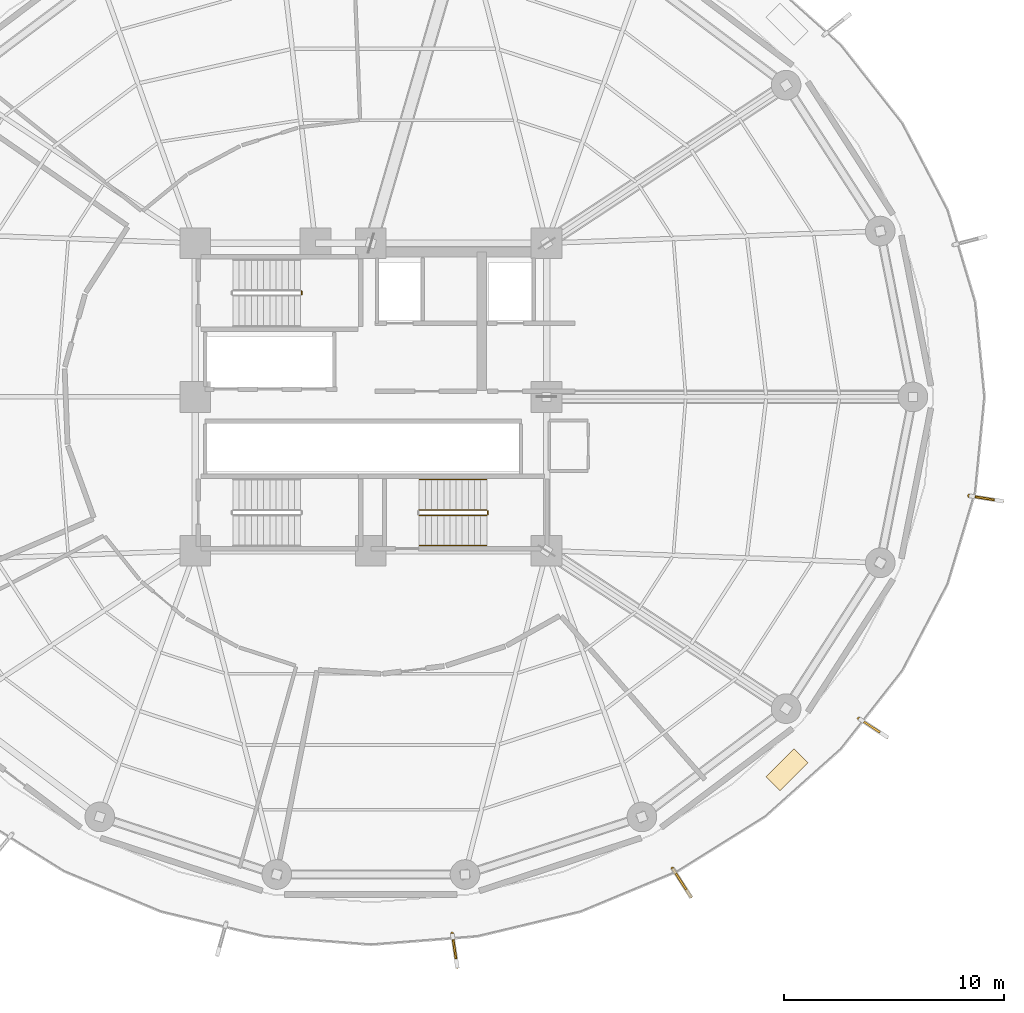
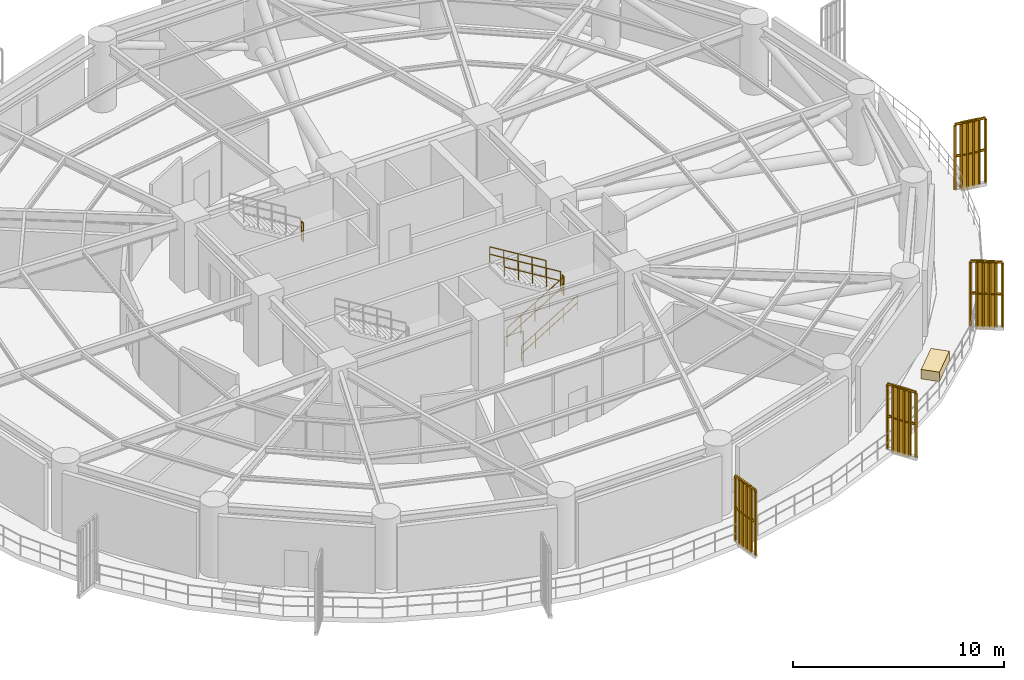
# One storey, part 9 of 10: 10 railings, 4 shading devices, 1 covering.
"""IFC4 building model written with IfcOpenShell, lengths in metres."""

from ifc_helpers import new_model, si_unit, direction, frame, origin, origin_2d, place, context, subcontext, project, spatial, polyline, rectangle, outline, extrude, source, transform, mapped, material, layer, layer_set, type_object, element, save


model = new_model("IFC4")

# Units and contexts
model_context = context("Model", 3, precision=1e-05, world=origin(), true_north=direction((0.0, 1.0)))
body_context = subcontext(model_context, "Body", "Model", "MODEL_VIEW")
ifc_project = project(units=[si_unit("LENGTHUNIT", "METRE"), si_unit("AREAUNIT", "SQUARE_METRE"), si_unit("VOLUMEUNIT", "CUBIC_METRE"), si_unit("PLANEANGLEUNIT", "RADIAN"), si_unit("MASSUNIT", "GRAM", prefix="KILO")], contexts=[model_context])

# Site, building, storey
site_placement = place(None, origin())
site = spatial("IfcSite", under=ifc_project, at=site_placement, CompositionType="ELEMENT")
building_placement = place(site_placement, origin())
building = spatial("IfcBuilding", under=site, at=building_placement, Name="Kelanora Arch Commons", CompositionType="ELEMENT")
storey_placement = place(building_placement, frame((0.0, 0.0, 72.260009765625)))
storey = spatial("IfcBuildingStorey", under=building, at=storey_placement, Name="L18", CompositionType="ELEMENT", Elevation=72.260009765625)

# Railings
ifc_material_1 = material(Name="Anodised bronze vertical shading fin rib assembly")
railing_type_1 = type_object("IfcRailingType", Name="RAIL-FIN-BRZ", PredefinedType="BALUSTRADE", material=ifc_material_1)
railing_1_placement = place(storey_placement, frame((77.70361328125, 33.5693359375, -0.02001953125)))
element("IfcRailing", 1, at=railing_1_placement, inside=storey, type_object=railing_type_1, Name="Sweeping Bronze Vertical Fin Blade L18-10", PredefinedType="BALUSTRADE", context=body_context, shape_type="SweptSolid", body=[
    extrude(outline(polyline([(0.06982421875, 0.0), (0.034912109375, 0.060546875), (-0.034912109375, 0.060546875), (-0.06982421875, 0.0), (-0.034912109375, -0.060546875), (0.034912109375, -0.060546875), (0.06982421875, 0.0)])), frame((0.0, 0.0, 3.76025390625), z_axis=(0.149838468411, -0.988710490176, 0.0), x_axis=(0.988710490176, 0.149838468411, 0.0)), (0.0, 0.0, 1.0), 1.530029296875),
    extrude(outline(polyline([(0.06982421875, 0.0), (0.034912109375, 0.060546875), (-0.034912109375, 0.060546875), (-0.06982421875, 0.0), (-0.034912109375, -0.060546875), (0.034912109375, -0.060546875), (0.06982421875, 0.0)])), frame((0.0, 0.0, 1.9150390625), z_axis=(0.149838468411, -0.988710490176, 0.0), x_axis=(0.988710490176, 0.149838468411, 0.0)), (0.0, 0.0, 1.0), 1.530029296875),
    extrude(outline(polyline([(0.080078125, 0.0), (0.0400390625, 0.0693359375), (-0.0400390625, 0.0693359375), (-0.080078125, 0.0), (-0.0400390625, -0.0693359375), (0.0400390625, -0.0693359375), (0.080078125, 0.0)])), origin(), (0.0, 0.0, 1.0), 3.690185546875),
    extrude(outline(polyline([(0.080078125, 0.0), (0.0400390625, 0.0693359375), (-0.0400390625, 0.0693359375), (-0.080078125, 0.0), (-0.0400390625, -0.0693359375), (0.0400390625, -0.0693359375), (0.080078125, 0.0)])), frame((0.0458984375, -0.302490234375, 0.0)), (0.0, 0.0, 1.0), 3.690185546875),
    extrude(outline(polyline([(0.080078125, 0.0), (0.0400390625, 0.0693359375), (-0.0400390625, 0.0693359375), (-0.080078125, 0.0), (-0.0400390625, -0.0693359375), (0.0400390625, -0.0693359375), (0.080078125, 0.0)])), frame((0.091796875, -0.60498046875, 0.0)), (0.0, 0.0, 1.0), 3.690185546875),
    extrude(outline(polyline([(0.080078125, 0.0), (0.0400390625, 0.0693359375), (-0.0400390625, 0.0693359375), (-0.080078125, 0.0), (-0.0400390625, -0.0693359375), (0.0400390625, -0.0693359375), (0.080078125, 0.0)])), frame((0.137451171875, -0.90771484375, 0.0)), (0.0, 0.0, 1.0), 3.690185546875),
    extrude(outline(polyline([(0.080078125, 0.0), (0.0400390625, 0.0693359375), (-0.0400390625, 0.0693359375), (-0.080078125, 0.0), (-0.0400390625, -0.0693359375), (0.0400390625, -0.0693359375), (0.080078125, 0.0)])), frame((0.183349609375, -1.210205078125, 0.0)), (0.0, 0.0, 1.0), 3.690185546875),
    extrude(outline(polyline([(0.080078125, 0.0), (0.0400390625, 0.0693359375), (-0.0400390625, 0.0693359375), (-0.080078125, 0.0), (-0.0400390625, -0.0693359375), (0.0400390625, -0.0693359375), (0.080078125, 0.0)])), frame((0.229248046875, -1.5126953125, 0.0)), (0.0, 0.0, 1.0), 3.690185546875),
])
railing_2_placement = place(storey_placement, frame((87.736083984375, 36.5380859375, -0.02001953125)))
element("IfcRailing", 2, at=railing_2_placement, inside=storey, type_object=railing_type_1, Name="Sweeping Bronze Vertical Fin Blade L18-11", PredefinedType="BALUSTRADE", context=body_context, shape_type="SweptSolid", body=[
    extrude(outline(polyline([(0.06982421875, 0.0), (0.034912109375, 0.060546875), (-0.034912109375, 0.060546875), (-0.06982421875, 0.0), (-0.034912109375, -0.060546875), (0.034912109375, -0.060546875), (0.06982421875, 0.0)])), frame((0.0, 0.0, 3.76025390625), z_axis=(0.539062753171, -0.842265604274, 0.0), x_axis=(0.842265604274, 0.539062753171, 0.0)), (0.0, 0.0, 1.0), 1.52978515625),
    extrude(outline(polyline([(0.06982421875, 0.0), (0.034912109375, 0.060546875), (-0.034912109375, 0.060546875), (-0.06982421875, 0.0), (-0.034912109375, -0.060546875), (0.034912109375, -0.060546875), (0.06982421875, 0.0)])), frame((0.0, 0.0, 1.9150390625), z_axis=(0.539062753171, -0.842265604274, 0.0), x_axis=(0.842265604274, 0.539062753171, 0.0)), (0.0, 0.0, 1.0), 1.52978515625),
    extrude(outline(polyline([(0.080078125, 0.0), (0.0400390625, 0.0693359375), (-0.0400390625, 0.0693359375), (-0.080078125, 0.0), (-0.0400390625, -0.0693359375), (0.0400390625, -0.0693359375), (0.080078125, 0.0)])), origin(), (0.0, 0.0, 1.0), 3.690185546875),
    extrude(outline(polyline([(0.080078125, 0.0), (0.0400390625, 0.0693359375), (-0.0400390625, 0.0693359375), (-0.080078125, 0.0), (-0.0400390625, -0.0693359375), (0.0400390625, -0.0693359375), (0.080078125, 0.0)])), frame((0.1650390625, -0.2578125, 0.0)), (0.0, 0.0, 1.0), 3.690185546875),
    extrude(outline(polyline([(0.080078125, 0.0), (0.0400390625, 0.0693359375), (-0.0400390625, 0.0693359375), (-0.080078125, 0.0), (-0.0400390625, -0.0693359375), (0.0400390625, -0.0693359375), (0.080078125, 0.0)])), frame((0.329833984375, -0.515380859375, 0.0)), (0.0, 0.0, 1.0), 3.690185546875),
    extrude(outline(polyline([(0.080078125, 0.0), (0.0400390625, 0.0693359375), (-0.0400390625, 0.0693359375), (-0.080078125, 0.0), (-0.0400390625, -0.0693359375), (0.0400390625, -0.0693359375), (0.080078125, 0.0)])), frame((0.494873046875, -0.773193359375, 0.0)), (0.0, 0.0, 1.0), 3.690185546875),
    extrude(outline(polyline([(0.080078125, 0.0), (0.0400390625, 0.0693359375), (-0.0400390625, 0.0693359375), (-0.080078125, 0.0), (-0.0400390625, -0.0693359375), (0.0400390625, -0.0693359375), (0.080078125, 0.0)])), frame((0.65966796875, -1.03076171875, 0.0)), (0.0, 0.0, 1.0), 3.690185546875),
    extrude(outline(polyline([(0.080078125, 0.0), (0.0400390625, 0.0693359375), (-0.0400390625, 0.0693359375), (-0.080078125, 0.0), (-0.0400390625, -0.0693359375), (0.0400390625, -0.0693359375), (0.080078125, 0.0)])), frame((0.82470703125, -1.28857421875, 0.0)), (0.0, 0.0, 1.0), 3.690185546875),
])
railing_3_placement = place(storey_placement, frame((96.217041015625, 43.361572265625, -0.02001953125)))
element("IfcRailing", 3, at=railing_3_placement, inside=storey, type_object=railing_type_1, Name="Sweeping Bronze Vertical Fin Blade L18-12", PredefinedType="BALUSTRADE", context=body_context, shape_type="SweptSolid", body=[
    extrude(outline(polyline([(0.06982421875, 0.0), (0.034912109375, 0.060546875), (-0.034912109375, 0.060546875), (-0.06982421875, 0.0), (-0.034912109375, -0.060546875), (0.034912109375, -0.060546875), (0.06982421875, 0.0)])), frame((0.0, 0.0, 3.76025390625), z_axis=(0.835106495498, -0.550088303073, 0.0), x_axis=(0.550088303073, 0.835106495498, 0.0)), (0.0, 0.0, 1.0), 1.52978515625),
    extrude(outline(polyline([(0.06982421875, 0.0), (0.034912109375, 0.060546875), (-0.034912109375, 0.060546875), (-0.06982421875, 0.0), (-0.034912109375, -0.060546875), (0.034912109375, -0.060546875), (0.06982421875, 0.0)])), frame((0.0, 0.0, 1.9150390625), z_axis=(0.835106495498, -0.550088303073, 0.0), x_axis=(0.550088303073, 0.835106495498, 0.0)), (0.0, 0.0, 1.0), 1.52978515625),
    extrude(outline(polyline([(0.080078125, 0.0), (0.0400390625, 0.0693359375), (-0.0400390625, 0.0693359375), (-0.080078125, 0.0), (-0.0400390625, -0.0693359375), (0.0400390625, -0.0693359375), (0.080078125, 0.0)])), origin(), (0.0, 0.0, 1.0), 3.690185546875),
    extrude(outline(polyline([(0.080078125, 0.0), (0.0400390625, 0.0693359375), (-0.0400390625, 0.0693359375), (-0.080078125, 0.0), (-0.0400390625, -0.0693359375), (0.0400390625, -0.0693359375), (0.080078125, 0.0)])), frame((0.255615234375, -0.168212890625, 0.0)), (0.0, 0.0, 1.0), 3.690185546875),
    extrude(outline(polyline([(0.080078125, 0.0), (0.0400390625, 0.0693359375), (-0.0400390625, 0.0693359375), (-0.080078125, 0.0), (-0.0400390625, -0.0693359375), (0.0400390625, -0.0693359375), (0.080078125, 0.0)])), frame((0.510986328125, -0.336669921875, 0.0)), (0.0, 0.0, 1.0), 3.690185546875),
    extrude(outline(polyline([(0.080078125, 0.0), (0.0400390625, 0.0693359375), (-0.0400390625, 0.0693359375), (-0.080078125, 0.0), (-0.0400390625, -0.0693359375), (0.0400390625, -0.0693359375), (0.080078125, 0.0)])), frame((0.7666015625, -0.5048828125, 0.0)), (0.0, 0.0, 1.0), 3.690185546875),
    extrude(outline(polyline([(0.080078125, 0.0), (0.0400390625, 0.0693359375), (-0.0400390625, 0.0693359375), (-0.080078125, 0.0), (-0.0400390625, -0.0693359375), (0.0400390625, -0.0693359375), (0.080078125, 0.0)])), frame((1.02197265625, -0.67333984375, 0.0)), (0.0, 0.0, 1.0), 3.690185546875),
    extrude(outline(polyline([(0.080078125, 0.0), (0.0400390625, 0.0693359375), (-0.0400390625, 0.0693359375), (-0.080078125, 0.0), (-0.0400390625, -0.0693359375), (0.0400390625, -0.0693359375), (0.080078125, 0.0)])), frame((1.277587890625, -0.841552734375, 0.0)), (0.0, 0.0, 1.0), 3.690185546875),
])
railing_4_placement = place(storey_placement, frame((101.2373046875, 53.500732421875, -0.02001953125)))
element("IfcRailing", 4, at=railing_4_placement, inside=storey, type_object=railing_type_1, Name="Sweeping Bronze Vertical Fin Blade L18-13", PredefinedType="BALUSTRADE", context=body_context, shape_type="SweptSolid", body=[
    extrude(outline(polyline([(0.06982421875, 0.0), (0.034912109375, 0.060546875), (-0.034912109375, 0.060546875), (-0.06982421875, 0.0), (-0.034912109375, -0.060546875), (0.034912109375, -0.060546875), (0.06982421875, 0.0)])), frame((0.0, 0.0, 3.76025390625), z_axis=(0.98660874233, -0.163104842229, 0.0), x_axis=(0.163104842229, 0.98660874233, 0.0)), (0.0, 0.0, 1.0), 1.52978515625),
    extrude(outline(polyline([(0.06982421875, 0.0), (0.034912109375, 0.060546875), (-0.034912109375, 0.060546875), (-0.06982421875, 0.0), (-0.034912109375, -0.060546875), (0.034912109375, -0.060546875), (0.06982421875, 0.0)])), frame((0.0, 0.0, 1.9150390625), z_axis=(0.98660874233, -0.163104842229, 0.0), x_axis=(0.163104842229, 0.98660874233, 0.0)), (0.0, 0.0, 1.0), 1.52978515625),
    extrude(outline(polyline([(0.080078125, 0.0), (0.0400390625, 0.0693359375), (-0.0400390625, 0.0693359375), (-0.080078125, 0.0), (-0.0400390625, -0.0693359375), (0.0400390625, -0.0693359375), (0.080078125, 0.0)])), origin(), (0.0, 0.0, 1.0), 3.690185546875),
    extrude(outline(polyline([(0.080078125, 0.0), (0.0400390625, 0.0693359375), (-0.0400390625, 0.0693359375), (-0.080078125, 0.0), (-0.0400390625, -0.0693359375), (0.0400390625, -0.0693359375), (0.080078125, 0.0)])), frame((0.3017578125, -0.0498046875, 0.0)), (0.0, 0.0, 1.0), 3.690185546875),
    extrude(outline(polyline([(0.080078125, 0.0), (0.0400390625, 0.0693359375), (-0.0400390625, 0.0693359375), (-0.080078125, 0.0), (-0.0400390625, -0.0693359375), (0.0400390625, -0.0693359375), (0.080078125, 0.0)])), frame((0.603759765625, -0.099853515625, 0.0)), (0.0, 0.0, 1.0), 3.690185546875),
    extrude(outline(polyline([(0.080078125, 0.0), (0.0400390625, 0.0693359375), (-0.0400390625, 0.0693359375), (-0.080078125, 0.0), (-0.0400390625, -0.0693359375), (0.0400390625, -0.0693359375), (0.080078125, 0.0)])), frame((0.905517578125, -0.149658203125, 0.0)), (0.0, 0.0, 1.0), 3.690185546875),
    extrude(outline(polyline([(0.080078125, 0.0), (0.0400390625, 0.0693359375), (-0.0400390625, 0.0693359375), (-0.080078125, 0.0), (-0.0400390625, -0.0693359375), (0.0400390625, -0.0693359375), (0.080078125, 0.0)])), frame((1.20751953125, -0.19970703125, 0.0)), (0.0, 0.0, 1.0), 3.690185546875),
    extrude(outline(polyline([(0.080078125, 0.0), (0.0400390625, 0.0693359375), (-0.0400390625, 0.0693359375), (-0.080078125, 0.0), (-0.0400390625, -0.0693359375), (0.0400390625, -0.0693359375), (0.080078125, 0.0)])), frame((1.50927734375, -0.24951171875, 0.0)), (0.0, 0.0, 1.0), 3.690185546875),
])
ifc_material_2 = material(Name="Painted steel stair well guard", Category="steel")
railing_type_2 = type_object("IfcRailingType", Name="RAIL-STAIR-GRD", PredefinedType="GUARDRAIL", material=ifc_material_2)
railing_5_placement = place(storey_placement, frame((70.85009765625, 62.659912109375, 2.044921875)))
element("IfcRailing", 5, at=railing_5_placement, inside=storey, type_object=railing_type_2, Name="L18 ST-T1 stair guard 2", PredefinedType="GUARDRAIL", context=body_context, shape_type="SweptSolid", body=[
    extrude(outline(polyline([(0.02392578125, 0.0), (0.011962890625, 0.020751953125), (-0.011962890625, 0.020751953125), (-0.02392578125, 0.0), (-0.011962890625, -0.020751953125), (0.011962890625, -0.020751953125), (0.02392578125, 0.0)])), frame((0.0, 0.0, 1.076171875), z_axis=(0.0, 1.0, 0.0), x_axis=(-1.0, 0.0, 0.0)), (0.0, 0.0, 1.0), 0.150146484375),
    extrude(outline(polyline([(0.02392578125, 0.0), (0.011962890625, 0.020751953125), (-0.011962890625, 0.020751953125), (-0.02392578125, 0.0), (-0.011962890625, -0.020751953125), (0.011962890625, -0.020751953125), (0.02392578125, 0.0)])), frame((0.0, 0.0, 0.550048828125), z_axis=(0.0, 1.0, 0.0), x_axis=(-1.0, 0.0, 0.0)), (0.0, 0.0, 1.0), 0.150146484375),
    extrude(outline(polyline([(0.02099609375, 0.0), (0.010498046875, 0.01806640625), (-0.010498046875, 0.01806640625), (-0.02099609375, 0.0), (-0.010498046875, -0.01806640625), (0.010498046875, -0.01806640625), (0.02099609375, 0.0)])), origin(), (0.0, 0.0, 1.0), 1.052001953125),
    extrude(outline(polyline([(0.02099609375, 0.0), (0.010498046875, 0.01806640625), (-0.010498046875, 0.01806640625), (-0.02099609375, 0.0), (-0.010498046875, -0.01806640625), (0.010498046875, -0.01806640625), (0.02099609375, 0.0)])), frame((0.0, 0.150146484375, 0.0)), (0.0, 0.0, 1.0), 1.052001953125),
])
railing_6_placement = place(storey_placement, frame((76.199951171875, 52.610107421875, 0.17041015625)))
element("IfcRailing", 6, at=railing_6_placement, inside=storey, type_object=railing_type_2, Name="L18 ST-T2 stair guard 1", PredefinedType="GUARDRAIL", context=body_context, shape_type="SweptSolid", body=[
    extrude(outline(polyline([(0.02392578125, 0.0), (0.011962890625, 0.020751953125), (-0.011962890625, 0.020751953125), (-0.02392578125, 0.0), (-0.011962890625, -0.020751953125), (0.011962890625, -0.020751953125), (0.02392578125, 0.0)])), frame((0.0, 0.0, 1.076171875), z_axis=(0.854237778674, 0.0, 0.51988250354), x_axis=(0.0, 1.0, 0.0)), (0.0, 0.0, 1.0), 3.605712890625),
    extrude(outline(polyline([(0.02392578125, 0.0), (0.011962890625, 0.020751953125), (-0.011962890625, 0.020751953125), (-0.02392578125, 0.0), (-0.011962890625, -0.020751953125), (0.011962890625, -0.020751953125), (0.02392578125, 0.0)])), frame((0.0, 0.0, 0.550048828125), z_axis=(0.854237778674, 0.0, 0.51988250354), x_axis=(0.0, 1.0, 0.0)), (0.0, 0.0, 1.0), 3.605712890625),
    extrude(outline(polyline([(0.02099609375, 0.0), (0.010498046875, 0.01806640625), (-0.010498046875, 0.01806640625), (-0.02099609375, 0.0), (-0.010498046875, -0.01806640625), (0.010498046875, -0.01806640625), (0.02099609375, 0.0)])), origin(), (0.0, 0.0, 1.0), 1.052001953125),
    extrude(outline(polyline([(0.02099609375, 0.0), (0.010498046875, 0.01806640625), (-0.010498046875, 0.01806640625), (-0.02099609375, 0.0), (-0.010498046875, -0.01806640625), (0.010498046875, -0.01806640625), (0.02099609375, 0.0)])), frame((0.77001953125, 0.0, 0.46875)), (0.0, 0.0, 1.0), 1.052001953125),
    extrude(outline(polyline([(0.02099609375, 0.0), (0.010498046875, 0.01806640625), (-0.010498046875, 0.01806640625), (-0.02099609375, 0.0), (-0.010498046875, -0.01806640625), (0.010498046875, -0.01806640625), (0.02099609375, 0.0)])), frame((1.5400390625, 0.0, 0.937255859375)), (0.0, 0.0, 1.0), 1.052001953125),
    extrude(outline(polyline([(0.02099609375, 0.0), (0.010498046875, 0.01806640625), (-0.010498046875, 0.01806640625), (-0.02099609375, 0.0), (-0.010498046875, -0.01806640625), (0.010498046875, -0.01806640625), (0.02099609375, 0.0)])), frame((2.31005859375, 0.0, 1.40576171875)), (0.0, 0.0, 1.0), 1.052001953125),
    extrude(outline(polyline([(0.02099609375, 0.0), (0.010498046875, 0.01806640625), (-0.010498046875, 0.01806640625), (-0.02099609375, 0.0), (-0.010498046875, -0.01806640625), (0.010498046875, -0.01806640625), (0.02099609375, 0.0)])), frame((3.080078125, 0.0, 1.87451171875)), (0.0, 0.0, 1.0), 1.052001953125),
])
railing_7_placement = place(storey_placement, frame((79.330078125, 52.659912109375, 2.044921875)))
element("IfcRailing", 7, at=railing_7_placement, inside=storey, type_object=railing_type_2, Name="L18 ST-T2 stair guard 2", PredefinedType="GUARDRAIL", context=body_context, shape_type="SweptSolid", body=[
    extrude(outline(polyline([(0.02392578125, 0.0), (0.011962890625, 0.020751953125), (-0.011962890625, 0.020751953125), (-0.02392578125, 0.0), (-0.011962890625, -0.020751953125), (0.011962890625, -0.020751953125), (0.02392578125, 0.0)])), frame((0.0, 0.0, 1.076171875), z_axis=(0.0, 1.0, 0.0), x_axis=(-1.0, 0.0, 0.0)), (0.0, 0.0, 1.0), 0.150146484375),
    extrude(outline(polyline([(0.02392578125, 0.0), (0.011962890625, 0.020751953125), (-0.011962890625, 0.020751953125), (-0.02392578125, 0.0), (-0.011962890625, -0.020751953125), (0.011962890625, -0.020751953125), (0.02392578125, 0.0)])), frame((0.0, 0.0, 0.550048828125), z_axis=(0.0, 1.0, 0.0), x_axis=(-1.0, 0.0, 0.0)), (0.0, 0.0, 1.0), 0.150146484375),
    extrude(outline(polyline([(0.02099609375, 0.0), (0.010498046875, 0.01806640625), (-0.010498046875, 0.01806640625), (-0.02099609375, 0.0), (-0.010498046875, -0.01806640625), (0.010498046875, -0.01806640625), (0.02099609375, 0.0)])), origin(), (0.0, 0.0, 1.0), 1.052001953125),
    extrude(outline(polyline([(0.02099609375, 0.0), (0.010498046875, 0.01806640625), (-0.010498046875, 0.01806640625), (-0.02099609375, 0.0), (-0.010498046875, -0.01806640625), (0.010498046875, -0.01806640625), (0.02099609375, 0.0)])), frame((0.0, 0.150146484375, 0.0)), (0.0, 0.0, 1.0), 1.052001953125),
])
railing_8_placement = place(storey_placement, frame((79.280029296875, 52.860107421875, 2.21533203125)))
element("IfcRailing", 8, at=railing_8_placement, inside=storey, type_object=railing_type_2, Name="L18 ST-T2 stair guard 3", PredefinedType="GUARDRAIL", context=body_context, shape_type="SweptSolid", body=[
    extrude(outline(polyline([(0.02392578125, 0.0), (0.011962890625, 0.020751953125), (-0.011962890625, 0.020751953125), (-0.02392578125, 0.0), (-0.011962890625, -0.020751953125), (0.011962890625, -0.020751953125), (0.02392578125, 0.0)])), frame((0.0, 0.0, 1.076171875), z_axis=(-0.854207707774, 0.0, 0.519931910907), x_axis=(0.0, -1.0, 0.0)), (0.0, 0.0, 1.0), 3.605712890625),
    extrude(outline(polyline([(0.02392578125, 0.0), (0.011962890625, 0.020751953125), (-0.011962890625, 0.020751953125), (-0.02392578125, 0.0), (-0.011962890625, -0.020751953125), (0.011962890625, -0.020751953125), (0.02392578125, 0.0)])), frame((0.0, 0.0, 0.550048828125), z_axis=(-0.854207707774, 0.0, 0.519931910907), x_axis=(0.0, -1.0, 0.0)), (0.0, 0.0, 1.0), 3.605712890625),
    extrude(outline(polyline([(0.02099609375, 0.0), (0.010498046875, 0.01806640625), (-0.010498046875, 0.01806640625), (-0.02099609375, 0.0), (-0.010498046875, -0.01806640625), (0.010498046875, -0.01806640625), (0.02099609375, 0.0)])), origin(), (0.0, 0.0, 1.0), 1.052001953125),
    extrude(outline(polyline([(0.02099609375, 0.0), (0.010498046875, 0.01806640625), (-0.010498046875, 0.01806640625), (-0.02099609375, 0.0), (-0.010498046875, -0.01806640625), (0.010498046875, -0.01806640625), (0.02099609375, 0.0)])), frame((-0.77001953125, 0.0, 0.46875)), (0.0, 0.0, 1.0), 1.052001953125),
    extrude(outline(polyline([(0.02099609375, 0.0), (0.010498046875, 0.01806640625), (-0.010498046875, 0.01806640625), (-0.02099609375, 0.0), (-0.010498046875, -0.01806640625), (0.010498046875, -0.01806640625), (0.02099609375, 0.0)])), frame((-1.5400390625, 0.0, 0.9375)), (0.0, 0.0, 1.0), 1.052001953125),
    extrude(outline(polyline([(0.02099609375, 0.0), (0.010498046875, 0.01806640625), (-0.010498046875, 0.01806640625), (-0.02099609375, 0.0), (-0.010498046875, -0.01806640625), (0.010498046875, -0.01806640625), (0.02099609375, 0.0)])), frame((-2.31005859375, 0.0, 1.406005859375)), (0.0, 0.0, 1.0), 1.052001953125),
    extrude(outline(polyline([(0.02099609375, 0.0), (0.010498046875, 0.01806640625), (-0.010498046875, 0.01806640625), (-0.02099609375, 0.0), (-0.010498046875, -0.01806640625), (0.010498046875, -0.01806640625), (0.02099609375, 0.0)])), frame((-3.080078125, 0.0, 1.874755859375)), (0.0, 0.0, 1.0), 1.052001953125),
])
ifc_material_3 = material(Name="Brushed stainless steel stair handrail", Category="steel")
railing_type_3 = type_object("IfcRailingType", Name="RAIL-STAIR-HND", PredefinedType="HANDRAIL", material=ifc_material_3)
railing_9_placement = place(storey_placement, frame((76.199951171875, 51.22998046875, 0.17041015625)))
element("IfcRailing", 9, at=railing_9_placement, inside=storey, type_object=railing_type_3, Name="L18 ST-T2 stair handrail 1", PredefinedType="HANDRAIL", context=body_context, shape_type="SweptSolid", body=[
    extrude(outline(polyline([(0.02392578125, 0.0), (0.011962890625, 0.020751953125), (-0.011962890625, 0.020751953125), (-0.02392578125, 0.0), (-0.011962890625, -0.020751953125), (0.011962890625, -0.020751953125), (0.02392578125, 0.0)])), frame((0.0, 0.0, 0.8759765625), z_axis=(0.854237778674, 0.0, 0.51988250354), x_axis=(0.0, 1.0, 0.0)), (0.0, 0.0, 1.0), 3.605712890625),
    extrude(outline(polyline([(0.02392578125, 0.0), (0.011962890625, 0.020751953125), (-0.011962890625, 0.020751953125), (-0.02392578125, 0.0), (-0.011962890625, -0.020751953125), (0.011962890625, -0.020751953125), (0.02392578125, 0.0)])), frame((0.0, 0.0, 0.449951171875), z_axis=(0.854237778674, 0.0, 0.51988250354), x_axis=(0.0, 1.0, 0.0)), (0.0, 0.0, 1.0), 3.605712890625),
    extrude(outline(polyline([(0.02099609375, 0.0), (0.010498046875, 0.01806640625), (-0.010498046875, 0.01806640625), (-0.02099609375, 0.0), (-0.010498046875, -0.01806640625), (0.010498046875, -0.01806640625), (0.02099609375, 0.0)])), origin(), (0.0, 0.0, 1.0), 0.851806640625),
    extrude(outline(polyline([(0.02099609375, 0.0), (0.010498046875, 0.01806640625), (-0.010498046875, 0.01806640625), (-0.02099609375, 0.0), (-0.010498046875, -0.01806640625), (0.010498046875, -0.01806640625), (0.02099609375, 0.0)])), frame((0.77001953125, 0.0, 0.46875)), (0.0, 0.0, 1.0), 0.851806640625),
    extrude(outline(polyline([(0.02099609375, 0.0), (0.010498046875, 0.01806640625), (-0.010498046875, 0.01806640625), (-0.02099609375, 0.0), (-0.010498046875, -0.01806640625), (0.010498046875, -0.01806640625), (0.02099609375, 0.0)])), frame((1.5400390625, 0.0, 0.937255859375)), (0.0, 0.0, 1.0), 0.851806640625),
    extrude(outline(polyline([(0.02099609375, 0.0), (0.010498046875, 0.01806640625), (-0.010498046875, 0.01806640625), (-0.02099609375, 0.0), (-0.010498046875, -0.01806640625), (0.010498046875, -0.01806640625), (0.02099609375, 0.0)])), frame((2.31005859375, 0.0, 1.40576171875)), (0.0, 0.0, 1.0), 0.851806640625),
    extrude(outline(polyline([(0.02099609375, 0.0), (0.010498046875, 0.01806640625), (-0.010498046875, 0.01806640625), (-0.02099609375, 0.0), (-0.010498046875, -0.01806640625), (0.010498046875, -0.01806640625), (0.02099609375, 0.0)])), frame((3.080078125, 0.0, 1.87451171875)), (0.0, 0.0, 1.0), 0.851806640625),
])
railing_10_placement = place(storey_placement, frame((79.280029296875, 54.239990234375, 2.21533203125)))
element("IfcRailing", 10, at=railing_10_placement, inside=storey, type_object=railing_type_3, Name="L18 ST-T2 stair handrail 2", PredefinedType="HANDRAIL", context=body_context, shape_type="SweptSolid", body=[
    extrude(outline(polyline([(0.02392578125, 0.0), (0.011962890625, 0.020751953125), (-0.011962890625, 0.020751953125), (-0.02392578125, 0.0), (-0.011962890625, -0.020751953125), (0.011962890625, -0.020751953125), (0.02392578125, 0.0)])), frame((0.0, 0.0, 0.8759765625), z_axis=(-0.854207707774, 0.0, 0.519931910907), x_axis=(0.0, -1.0, 0.0)), (0.0, 0.0, 1.0), 3.605712890625),
    extrude(outline(polyline([(0.02392578125, 0.0), (0.011962890625, 0.020751953125), (-0.011962890625, 0.020751953125), (-0.02392578125, 0.0), (-0.011962890625, -0.020751953125), (0.011962890625, -0.020751953125), (0.02392578125, 0.0)])), frame((0.0, 0.0, 0.449951171875), z_axis=(-0.854207707774, 0.0, 0.519931910907), x_axis=(0.0, -1.0, 0.0)), (0.0, 0.0, 1.0), 3.605712890625),
    extrude(outline(polyline([(0.02099609375, 0.0), (0.010498046875, 0.01806640625), (-0.010498046875, 0.01806640625), (-0.02099609375, 0.0), (-0.010498046875, -0.01806640625), (0.010498046875, -0.01806640625), (0.02099609375, 0.0)])), origin(), (0.0, 0.0, 1.0), 0.851806640625),
    extrude(outline(polyline([(0.02099609375, 0.0), (0.010498046875, 0.01806640625), (-0.010498046875, 0.01806640625), (-0.02099609375, 0.0), (-0.010498046875, -0.01806640625), (0.010498046875, -0.01806640625), (0.02099609375, 0.0)])), frame((-0.77001953125, 0.0, 0.46875)), (0.0, 0.0, 1.0), 0.851806640625),
    extrude(outline(polyline([(0.02099609375, 0.0), (0.010498046875, 0.01806640625), (-0.010498046875, 0.01806640625), (-0.02099609375, 0.0), (-0.010498046875, -0.01806640625), (0.010498046875, -0.01806640625), (0.02099609375, 0.0)])), frame((-1.5400390625, 0.0, 0.9375)), (0.0, 0.0, 1.0), 0.851806640625),
    extrude(outline(polyline([(0.02099609375, 0.0), (0.010498046875, 0.01806640625), (-0.010498046875, 0.01806640625), (-0.02099609375, 0.0), (-0.010498046875, -0.01806640625), (0.010498046875, -0.01806640625), (0.02099609375, 0.0)])), frame((-2.31005859375, 0.0, 1.406005859375)), (0.0, 0.0, 1.0), 0.851806640625),
    extrude(outline(polyline([(0.02099609375, 0.0), (0.010498046875, 0.01806640625), (-0.010498046875, 0.01806640625), (-0.02099609375, 0.0), (-0.010498046875, -0.01806640625), (0.010498046875, -0.01806640625), (0.02099609375, 0.0)])), frame((-3.080078125, 0.0, 1.874755859375)), (0.0, 0.0, 1.0), 0.851806640625),
])

# Covering
ifc_material_4 = material(Name="Architectural terracotta planter bed with planting soil", Category="masonry")
ifc_layer = layer(ifc_material_4, 0.550048828125)
ifc_layer_set = layer_set([ifc_layer], Name="Architectural terracotta planter bed with planting soil")
covering_type = type_object("IfcCoveringType", Name="COV-PLANTER", PredefinedType="USERDEFINED", material=ifc_layer_set)
shared_shape_1 = source(origin(), body_context, "Body", "SweptSolid", [
    extrude(rectangle(XDim=1.800048828125, YDim=0.89990234375, at=origin_2d()), origin(), (0.0, 0.0, 1.0), 0.550048828125),
])
covering_placement = place(storey_placement, frame((92.950439453125, 41.029296875, 0.0), z_axis=(0.0, 0.0, 1.0), x_axis=(0.707106781187, 0.707106781187, 0.0)))
element("IfcCovering", 11, at=covering_placement, inside=storey, type_object=covering_type, Name="Sky-Terrace Planter L18-4", ObjectType="PLANTER", PredefinedType="USERDEFINED", context=body_context, shape_type="MappedRepresentation", body=[
    mapped(shared_shape_1, transform((0.0, 0.0, 0.0), scale=1.0)),
])

# Shading devices
ifc_material_5 = material(Name="Terracotta ceramic-clad extruded aluminium fin", Category="masonry")
shading_device_type = type_object("IfcShadingDeviceType", Name="SHD-FIN-FLARE", PredefinedType="USERDEFINED", material=ifc_material_5)
shared_shape_2 = source(origin(), body_context, "Body", "SweptSolid", [
    extrude(rectangle(XDim=0.8798828125, YDim=0.090087890625, at=origin_2d()), origin(), (0.0, 0.0, 1.0), 3.949951171875),
])
for number, where, z_axis, x_axis, name in (
    (12, (77.811279296875, 32.857421875, -0.14013671875), (0.0, 0.0, 1.0), (0.149880475413, -0.988704123128, 0.0), "Sweeping Terracotta Fin L18-10"),
    (13, (88.1240234375, 35.931640625, -0.14013671875), (0.0, 0.0, 1.0), (0.539064823539, -0.842264279204, 0.0), "Sweeping Terracotta Fin L18-11"),
    (14, (96.818359375, 42.965576171875, -0.14013671875), (0.0, 0.0, 1.0), (0.835039966425, -0.550189289674, 0.0), "Sweeping Terracotta Fin L18-12"),
    (15, (101.947509765625, 53.38330078125, -0.14013671875), (0.0, 0.0, 1.0), (0.986629113016, -0.162981573648, 0.0), "Sweeping Terracotta Fin L18-13"),
):
    element("IfcShadingDevice", number, at=place(storey_placement, frame(where, z_axis=z_axis, x_axis=x_axis)), inside=storey, type_object=shading_device_type, Name=name, ObjectType="FIN", PredefinedType="USERDEFINED", context=body_context, shape_type="MappedRepresentation", body=[
        mapped(shared_shape_2, transform((0.0, 0.0, 0.0), scale=1.0)),
    ])

save(model, "model.ifc")
